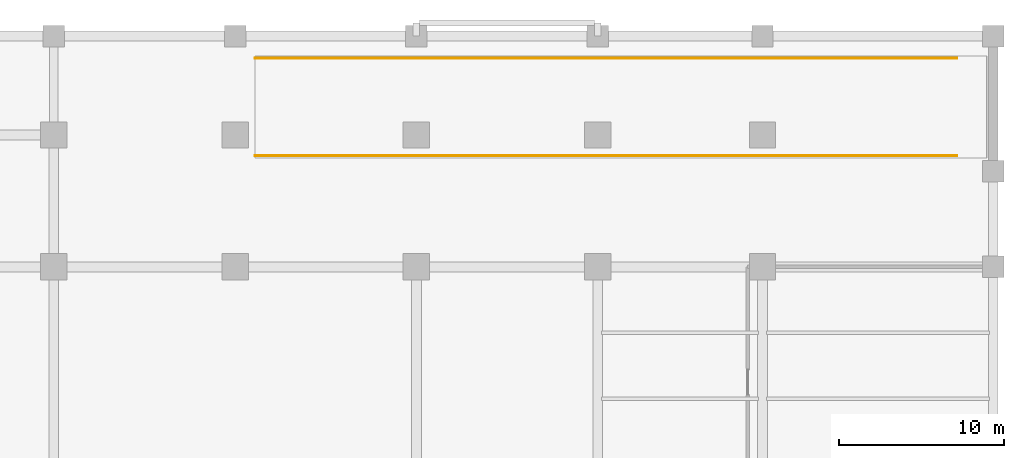
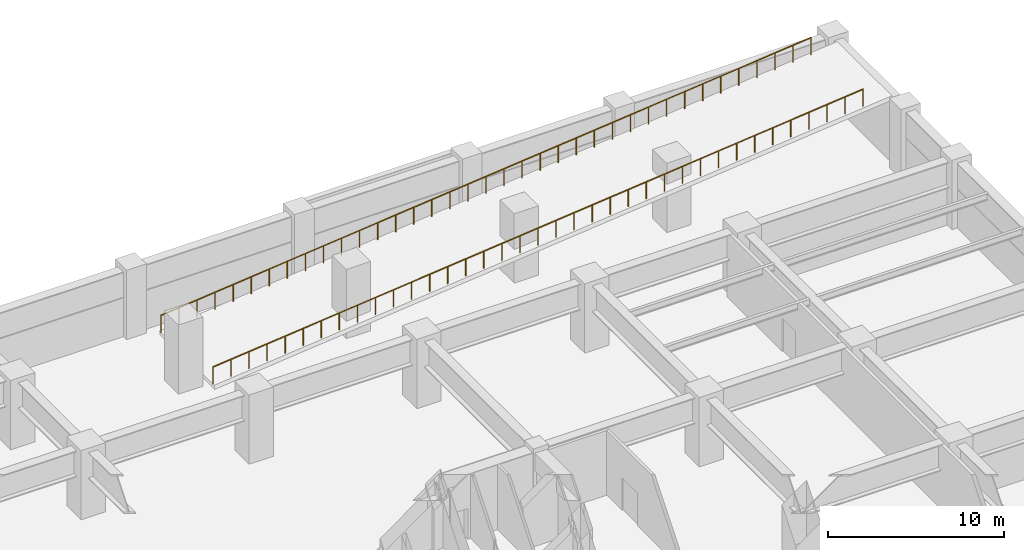
# One storey, part 13 of 13: 2 railings.
"""IFC4 building model written with IfcOpenShell, lengths in metres."""

from ifc_helpers import new_model, si_unit, direction, frame, origin, origin_2d, place, context, subcontext, project, spatial, circle, extrude, source, transform, mapped, material, type_object, element, save


model = new_model("IFC4")

# Units and contexts
model_context = context("Model", 3, precision=1e-05, world=origin(), true_north=direction((0.0, 1.0)))
body_context = subcontext(model_context, "Body", "Model", "MODEL_VIEW")
ifc_project = project(units=[si_unit("LENGTHUNIT", "METRE"), si_unit("AREAUNIT", "SQUARE_METRE"), si_unit("VOLUMEUNIT", "CUBIC_METRE"), si_unit("PLANEANGLEUNIT", "RADIAN"), si_unit("MASSUNIT", "GRAM", prefix="KILO")], contexts=[model_context])

# Site, building, storey
site_placement = place(None, origin())
site = spatial("IfcSite", under=ifc_project, at=site_placement, CompositionType="ELEMENT")
building_placement = place(site_placement, origin())
building = spatial("IfcBuilding", under=site, at=building_placement, Name="Khorayat Bourse Tower", CompositionType="ELEMENT")
storey_placement = place(building_placement, frame((0.0, 0.0, -4.800048828125)))
storey = spatial("IfcBuildingStorey", under=building, at=storey_placement, Name="B01", CompositionType="ELEMENT", Elevation=-4.800048828125)

# Railings
ifc_material = material(Name="Powder-coated steel balustrade", Category="steel")
railing_type = type_object("IfcRailingType", Name="RLG-GUARD-1200", PredefinedType="GUARDRAIL", material=ifc_material)
shared_shape = source(origin(), body_context, "Body", "SweptSolid", [
    extrude(circle(Radius=0.02392578125, at=origin_2d()), frame((0.0, 0.0, 1.17578125), z_axis=(0.994880736262, 0.0, 0.101056027105), x_axis=(0.0, 1.0, 0.0)), (0.0, 0.0, 1.0), 42.8193359375),
    extrude(circle(Radius=0.02099609375, at=origin_2d()), origin(), (0.0, 0.0, 1.0), 1.15185546875),
    extrude(circle(Radius=0.02099609375, at=origin_2d()), frame((1.183349609375, 0.0, 0.1201171875)), (0.0, 0.0, 1.0), 1.15185546875),
    extrude(circle(Radius=0.02099609375, at=origin_2d()), frame((2.36669921875, 0.0, 0.240478515625)), (0.0, 0.0, 1.0), 1.15185546875),
    extrude(circle(Radius=0.02099609375, at=origin_2d()), frame((3.550048828125, 0.0, 0.360595703125)), (0.0, 0.0, 1.0), 1.15185546875),
    extrude(circle(Radius=0.02099609375, at=origin_2d()), frame((4.7333984375, 0.0, 0.480712890625)), (0.0, 0.0, 1.0), 1.15185546875),
    extrude(circle(Radius=0.02099609375, at=origin_2d()), frame((5.916748046875, 0.0, 0.60107421875)), (0.0, 0.0, 1.0), 1.15185546875),
    extrude(circle(Radius=0.02099609375, at=origin_2d()), frame((7.10009765625, 0.0, 0.72119140625)), (0.0, 0.0, 1.0), 1.15185546875),
    extrude(circle(Radius=0.02099609375, at=origin_2d()), frame((8.283447265625, 0.0, 0.84130859375)), (0.0, 0.0, 1.0), 1.15185546875),
    extrude(circle(Radius=0.02099609375, at=origin_2d()), frame((9.466796875, 0.0, 0.961669921875)), (0.0, 0.0, 1.0), 1.15185546875),
    extrude(circle(Radius=0.02099609375, at=origin_2d()), frame((10.64990234375, 0.0, 1.081787109375)), (0.0, 0.0, 1.0), 1.15185546875),
    extrude(circle(Radius=0.02099609375, at=origin_2d()), frame((11.833251953125, 0.0, 1.201904296875)), (0.0, 0.0, 1.0), 1.15185546875),
    extrude(circle(Radius=0.02099609375, at=origin_2d()), frame((13.0166015625, 0.0, 1.322265625)), (0.0, 0.0, 1.0), 1.15185546875),
    extrude(circle(Radius=0.02099609375, at=origin_2d()), frame((14.199951171875, 0.0, 1.4423828125)), (0.0, 0.0, 1.0), 1.15185546875),
    extrude(circle(Radius=0.02099609375, at=origin_2d()), frame((15.38330078125, 0.0, 1.5625)), (0.0, 0.0, 1.0), 1.15185546875),
    extrude(circle(Radius=0.02099609375, at=origin_2d()), frame((16.566650390625, 0.0, 1.682861328125)), (0.0, 0.0, 1.0), 1.15185546875),
    extrude(circle(Radius=0.02099609375, at=origin_2d()), frame((17.75, 0.0, 1.802978515625)), (0.0, 0.0, 1.0), 1.15185546875),
    extrude(circle(Radius=0.02099609375, at=origin_2d()), frame((18.933349609375, 0.0, 1.923095703125)), (0.0, 0.0, 1.0), 1.15185546875),
    extrude(circle(Radius=0.02099609375, at=origin_2d()), frame((20.11669921875, 0.0, 2.04345703125)), (0.0, 0.0, 1.0), 1.15185546875),
    extrude(circle(Radius=0.02099609375, at=origin_2d()), frame((21.300048828125, 0.0, 2.16357421875)), (0.0, 0.0, 1.0), 1.15185546875),
    extrude(circle(Radius=0.02099609375, at=origin_2d()), frame((22.4833984375, 0.0, 2.28369140625)), (0.0, 0.0, 1.0), 1.15185546875),
    extrude(circle(Radius=0.02099609375, at=origin_2d()), frame((23.666748046875, 0.0, 2.404052734375)), (0.0, 0.0, 1.0), 1.15185546875),
    extrude(circle(Radius=0.02099609375, at=origin_2d()), frame((24.85009765625, 0.0, 2.524169921875)), (0.0, 0.0, 1.0), 1.15185546875),
    extrude(circle(Radius=0.02099609375, at=origin_2d()), frame((26.033447265625, 0.0, 2.644287109375)), (0.0, 0.0, 1.0), 1.15185546875),
    extrude(circle(Radius=0.02099609375, at=origin_2d()), frame((27.216796875, 0.0, 2.7646484375)), (0.0, 0.0, 1.0), 1.15185546875),
    extrude(circle(Radius=0.02099609375, at=origin_2d()), frame((28.400146484375, 0.0, 2.884765625)), (0.0, 0.0, 1.0), 1.15185546875),
    extrude(circle(Radius=0.02099609375, at=origin_2d()), frame((29.58349609375, 0.0, 3.0048828125)), (0.0, 0.0, 1.0), 1.15185546875),
    extrude(circle(Radius=0.02099609375, at=origin_2d()), frame((30.766845703125, 0.0, 3.125244140625)), (0.0, 0.0, 1.0), 1.15185546875),
    extrude(circle(Radius=0.02099609375, at=origin_2d()), frame((31.9501953125, 0.0, 3.245361328125)), (0.0, 0.0, 1.0), 1.15185546875),
    extrude(circle(Radius=0.02099609375, at=origin_2d()), frame((33.13330078125, 0.0, 3.365478515625)), (0.0, 0.0, 1.0), 1.15185546875),
    extrude(circle(Radius=0.02099609375, at=origin_2d()), frame((34.316650390625, 0.0, 3.48583984375)), (0.0, 0.0, 1.0), 1.15185546875),
    extrude(circle(Radius=0.02099609375, at=origin_2d()), frame((35.5, 0.0, 3.60595703125)), (0.0, 0.0, 1.0), 1.15185546875),
    extrude(circle(Radius=0.02099609375, at=origin_2d()), frame((36.683349609375, 0.0, 3.72607421875)), (0.0, 0.0, 1.0), 1.15185546875),
    extrude(circle(Radius=0.02099609375, at=origin_2d()), frame((37.86669921875, 0.0, 3.846435546875)), (0.0, 0.0, 1.0), 1.15185546875),
    extrude(circle(Radius=0.02099609375, at=origin_2d()), frame((39.050048828125, 0.0, 3.966552734375)), (0.0, 0.0, 1.0), 1.15185546875),
    extrude(circle(Radius=0.02099609375, at=origin_2d()), frame((40.2333984375, 0.0, 4.086669921875)), (0.0, 0.0, 1.0), 1.15185546875),
    extrude(circle(Radius=0.02099609375, at=origin_2d()), frame((41.416748046875, 0.0, 4.20703125)), (0.0, 0.0, 1.0), 1.15185546875),
    extrude(circle(Radius=0.02099609375, at=origin_2d()), frame((42.60009765625, 0.0, 4.3271484375)), (0.0, 0.0, 1.0), 1.15185546875),
])
for number, where, name in (
    (1, (1.199951171875, 30.75, 0.2900390625), "B01-L00 Street Exit Vehicular Ramp Slab Guardrail 1"),
    (2, (1.199951171875, 36.64990234375, 0.2900390625), "B01-L00 Street Exit Vehicular Ramp Slab Guardrail 2"),
):
    element("IfcRailing", number, at=place(storey_placement, frame(where)), inside=storey, type_object=railing_type, Name=name, PredefinedType="GUARDRAIL", context=body_context, shape_type="MappedRepresentation", body=[
        mapped(shared_shape, transform((0.0, 0.0, 0.0), scale=1.0)),
    ])

save(model, "model.ifc")
